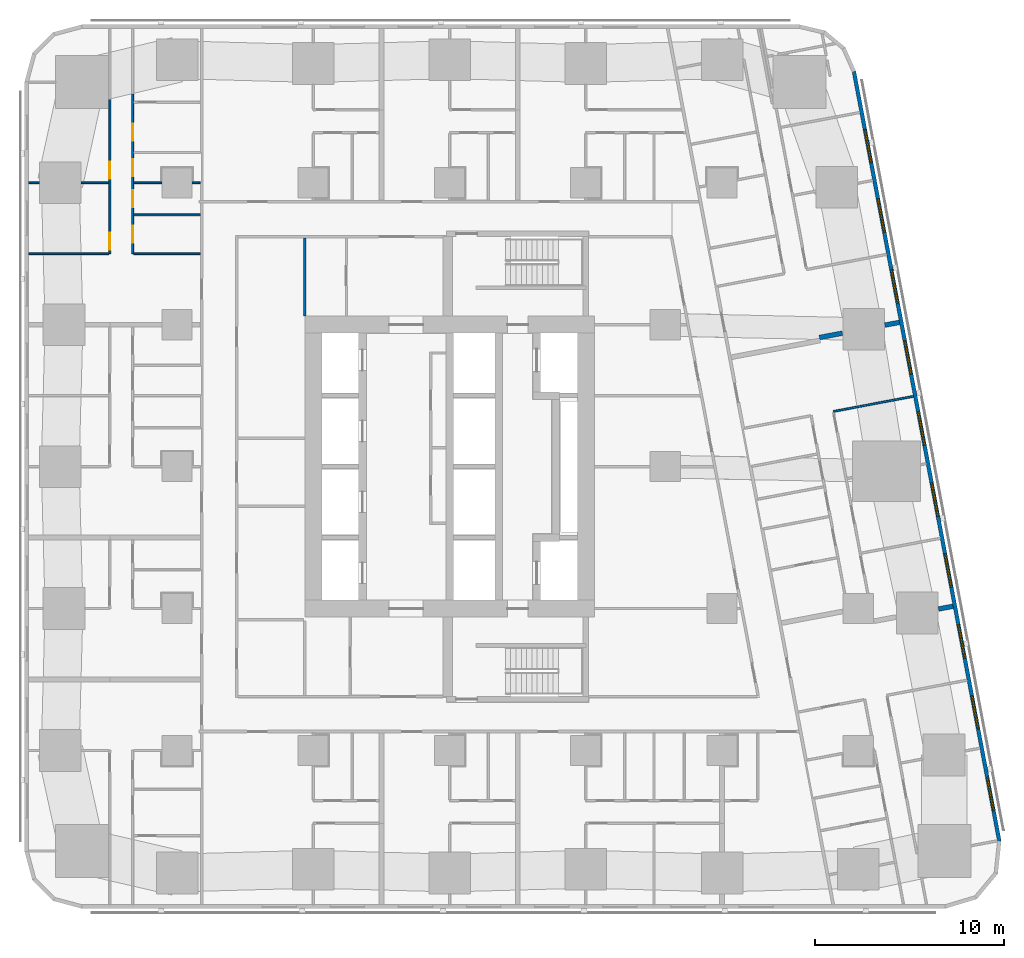
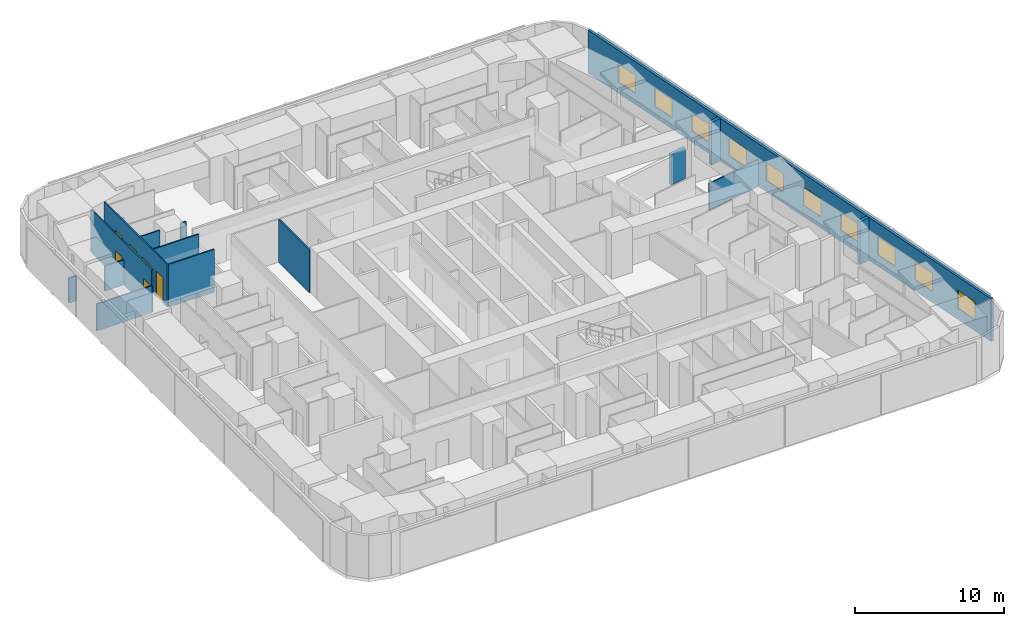
# One storey, part 9 of 16: 15 walls, 10 windows, 6 doors, 16 openings.
"""IFC4 building model written with IfcOpenShell, lengths in metres."""

from ifc_helpers import new_model, si_unit, direction, frame, frame_2d, origin, place, context, subcontext, project, spatial, rectangle, extrude, material, layer, layer_set, type_object, element, fill, save


model = new_model("IFC4")

# Units and contexts
model_context = context("Model", 3, precision=1e-05, world=origin(), true_north=direction((0.0, 1.0)))
body_context = subcontext(model_context, "Body", "Model", "MODEL_VIEW")
ifc_project = project(units=[si_unit("LENGTHUNIT", "METRE"), si_unit("AREAUNIT", "SQUARE_METRE"), si_unit("VOLUMEUNIT", "CUBIC_METRE"), si_unit("PLANEANGLEUNIT", "RADIAN"), si_unit("MASSUNIT", "GRAM", prefix="KILO")], contexts=[model_context])

# Site, building, storey
site_placement = place(None, origin())
site = spatial("IfcSite", under=ifc_project, at=site_placement, CompositionType="ELEMENT")
building_placement = place(site_placement, origin())
building = spatial("IfcBuilding", under=site, at=building_placement, Name="Sheger Commons Tower", CompositionType="ELEMENT")
storey_placement = place(building_placement, frame((0.0, 0.0, 96.64990234375)))
storey = spatial("IfcBuildingStorey", under=building, at=storey_placement, Name="L24", CompositionType="ELEMENT", Elevation=96.64990234375)

# Walls
ifc_material_1 = material(Name="Dense concrete block masonry, plastered both sides (separating wall between flats)", Category="masonry")
ifc_layer_1 = layer(ifc_material_1, 0.25)
ifc_layer_set_1 = layer_set([ifc_layer_1], Name="DEMISING WALL 250")
wall_type_1 = type_object("IfcWallType", Name="DEMISING WALL 250", PredefinedType="SOLIDWALL", material=ifc_layer_set_1)
wall_1_placement = place(storey_placement, frame((45.3720703125, 30.12109375, 0.0), z_axis=(0.0, 0.0, 1.0), x_axis=(-0.982638023929, -0.185533053469, 0.0)))
element("IfcWall", 1, at=wall_1_placement, inside=storey, type_object=wall_type_1, Name="Demising wall L24", PredefinedType="SOLIDWALL", context=body_context, shape_type="SweptSolid", body=[
    extrude(rectangle(XDim=0.78173828125, YDim=0.25, at=frame_2d((0.390869140625, 0.0))), origin(), (0.0, 0.0, 1.0), 3.5),
])
wall_2_placement = place(storey_placement, frame((42.35595703125, 29.551025390625, 0.0), z_axis=(0.0, 0.0, 1.0), x_axis=(-0.982529084329, -0.186109103615, 0.0)))
element("IfcWall", 2, at=wall_2_placement, inside=storey, type_object=wall_type_1, Name="Demising wall L24", PredefinedType="SOLIDWALL", context=body_context, shape_type="SweptSolid", body=[
    extrude(rectangle(XDim=1.23046875, YDim=0.25, at=frame_2d((0.615234375, 0.0))), origin(), (0.0, 0.0, 1.0), 2.5),
])
wall_3_placement = place(storey_placement, frame((48.2060546875, 15.1201171875, 0.0), z_axis=(0.0, 0.0, 1.0), x_axis=(-0.982638023929, -0.185533053469, 0.0)))
element("IfcWall", 3, at=wall_3_placement, inside=storey, type_object=wall_type_1, Name="Demising wall L24", PredefinedType="SOLIDWALL", context=body_context, shape_type="SweptSolid", body=[
    extrude(rectangle(XDim=0.78173828125, YDim=0.25, at=frame_2d((0.390869140625, 0.0))), origin(), (0.0, 0.0, 1.0), 3.5),
])

# Wall, openings, windows
ifc_material_2 = material(Name="Rendered concrete block masonry, dark grey", Category="masonry")
ifc_layer_2 = layer(ifc_material_2, 0.199951171875)
ifc_layer_set_2 = layer_set([ifc_layer_2], Name="FACADE WALL 200")
wall_type_2 = type_object("IfcWallType", Name="FACADE WALL 200", PredefinedType="SOLIDWALL", material=ifc_layer_set_2)
wall_4_placement = place(storey_placement, frame((50.653076171875, 2.702880859375, 0.0), z_axis=(0.0, 0.0, 1.0), x_axis=(-0.185612026696, 0.982623109613, 0.0)))
wall_4 = element("IfcWall", 4, at=wall_4_placement, inside=storey, type_object=wall_type_2, Name="Facade wall L24", PredefinedType="SOLIDWALL", context=body_context, shape_type="SweptSolid", body=[
    extrude(rectangle(XDim=41.393310546875, YDim=0.199951171875, at=frame_2d((20.69677734375, 0.0))), origin(), (0.0, 0.0, 1.0), 3.5),
])
opening_1_placement = place(wall_4_placement, frame((1.633056640625, 0.0, 0.89990234375)))
opening_1 = element("IfcOpeningElement", 5, at=opening_1_placement, cuts=wall_4, Name="Opening W2", PredefinedType="OPENING", context=body_context, shape_type="SweptSolid", body=[
    extrude(rectangle(XDim=1.800048828125, YDim=1.5, at=frame_2d((0.89990234375, 0.75))), frame((0.0, 0.10986328125, 0.0), z_axis=(0.0, -1.0, 0.0), x_axis=(1.0, 0.0, 0.0)), (0.0, 0.0, 1.0), 0.219970703125),
])
opening_2_placement = place(wall_4_placement, frame((6.031982421875, 0.0, 0.89990234375)))
opening_2 = element("IfcOpeningElement", 6, at=opening_2_placement, cuts=wall_4, Name="Opening W2", PredefinedType="OPENING", context=body_context, shape_type="SweptSolid", body=[
    extrude(rectangle(XDim=1.800048828125, YDim=1.5, at=frame_2d((0.89990234375, 0.75))), frame((0.0, 0.10986328125, 0.0), z_axis=(0.0, -1.0, 0.0), x_axis=(1.0, 0.0, 0.0)), (0.0, 0.0, 1.0), 0.219970703125),
])
opening_3_placement = place(wall_4_placement, frame((9.847900390625, 0.0, 0.89990234375)))
opening_3 = element("IfcOpeningElement", 7, at=opening_3_placement, cuts=wall_4, Name="Opening W2", PredefinedType="OPENING", context=body_context, shape_type="SweptSolid", body=[
    extrude(rectangle(XDim=1.800048828125, YDim=1.5, at=frame_2d((0.89990234375, 0.75))), frame((0.0, 0.10986328125, 0.0), z_axis=(0.0, -1.0, 0.0), x_axis=(1.0, 0.0, 0.0)), (0.0, 0.0, 1.0), 0.219970703125),
])
opening_4_placement = place(wall_4_placement, frame((13.6640625, 0.0, 0.89990234375)))
opening_4 = element("IfcOpeningElement", 8, at=opening_4_placement, cuts=wall_4, Name="Opening W2", PredefinedType="OPENING", context=body_context, shape_type="SweptSolid", body=[
    extrude(rectangle(XDim=1.800048828125, YDim=1.5, at=frame_2d((0.89990234375, 0.75))), frame((0.0, 0.10986328125, 0.0), z_axis=(0.0, -1.0, 0.0), x_axis=(1.0, 0.0, 0.0)), (0.0, 0.0, 1.0), 0.219970703125),
])
opening_5_placement = place(wall_4_placement, frame((17.48095703125, 0.0, 0.89990234375)))
opening_5 = element("IfcOpeningElement", 9, at=opening_5_placement, cuts=wall_4, Name="Opening W2", PredefinedType="OPENING", context=body_context, shape_type="SweptSolid", body=[
    extrude(rectangle(XDim=1.800048828125, YDim=1.5, at=frame_2d((0.89990234375, 0.75))), frame((0.0, 0.10986328125, 0.0), z_axis=(0.0, -1.0, 0.0), x_axis=(1.0, 0.0, 0.0)), (0.0, 0.0, 1.0), 0.219970703125),
])
opening_6_placement = place(wall_4_placement, frame((21.297119140625, 0.0, 0.89990234375)))
opening_6 = element("IfcOpeningElement", 10, at=opening_6_placement, cuts=wall_4, Name="Opening W2", PredefinedType="OPENING", context=body_context, shape_type="SweptSolid", body=[
    extrude(rectangle(XDim=1.800048828125, YDim=1.5, at=frame_2d((0.89990234375, 0.75))), frame((0.0, 0.10986328125, 0.0), z_axis=(0.0, -1.0, 0.0), x_axis=(1.0, 0.0, 0.0)), (0.0, 0.0, 1.0), 0.219970703125),
])
opening_7_placement = place(wall_4_placement, frame((25.113037109375, 0.0, 0.89990234375)))
opening_7 = element("IfcOpeningElement", 11, at=opening_7_placement, cuts=wall_4, Name="Opening W2", PredefinedType="OPENING", context=body_context, shape_type="SweptSolid", body=[
    extrude(rectangle(XDim=1.800048828125, YDim=1.5, at=frame_2d((0.89990234375, 0.75))), frame((0.0, 0.10986328125, 0.0), z_axis=(0.0, -1.0, 0.0), x_axis=(1.0, 0.0, 0.0)), (0.0, 0.0, 1.0), 0.219970703125),
])
opening_8_placement = place(wall_4_placement, frame((28.929931640625, 0.0, 0.89990234375)))
opening_8 = element("IfcOpeningElement", 12, at=opening_8_placement, cuts=wall_4, Name="Opening W2", PredefinedType="OPENING", context=body_context, shape_type="SweptSolid", body=[
    extrude(rectangle(XDim=1.800048828125, YDim=1.5, at=frame_2d((0.89990234375, 0.75))), frame((0.0, 0.10986328125, 0.0), z_axis=(0.0, -1.0, 0.0), x_axis=(1.0, 0.0, 0.0)), (0.0, 0.0, 1.0), 0.219970703125),
])
opening_9_placement = place(wall_4_placement, frame((32.74609375, 0.0, 0.89990234375)))
opening_9 = element("IfcOpeningElement", 13, at=opening_9_placement, cuts=wall_4, Name="Opening W2", PredefinedType="OPENING", context=body_context, shape_type="SweptSolid", body=[
    extrude(rectangle(XDim=1.800048828125, YDim=1.5, at=frame_2d((0.89990234375, 0.75))), frame((0.0, 0.10986328125, 0.0), z_axis=(0.0, -1.0, 0.0), x_axis=(1.0, 0.0, 0.0)), (0.0, 0.0, 1.0), 0.219970703125),
])
opening_10_placement = place(wall_4_placement, frame((36.48095703125, 0.0, 0.89990234375)))
opening_10 = element("IfcOpeningElement", 14, at=opening_10_placement, cuts=wall_4, Name="Opening W2", PredefinedType="OPENING", context=body_context, shape_type="SweptSolid", body=[
    extrude(rectangle(XDim=1.800048828125, YDim=1.5, at=frame_2d((0.89990234375, 0.75))), frame((0.0, 0.10986328125, 0.0), z_axis=(0.0, -1.0, 0.0), x_axis=(1.0, 0.0, 0.0)), (0.0, 0.0, 1.0), 0.219970703125),
])
ifc_material_3 = material(Name="Black aluminium frame, dark tinted double glazing", Category="aluminium")
window_type = type_object("IfcWindowType", Name="WINDOW W2 1800x1500", PartitioningType="SINGLE_PANEL", PredefinedType="WINDOW", material=ifc_material_3)
window_1_placement = place(opening_1_placement, origin())
window_1 = element("IfcWindow", 15, at=window_1_placement, inside=storey, type_object=window_type, Name="Window W2 1800X1500", OverallHeight=1.5, OverallWidth=1.800048828125, PartitioningType="SINGLE_PANEL", PredefinedType="WINDOW", context=body_context, shape_type="SweptSolid", body=[
    extrude(rectangle(XDim=1.800048828125, YDim=1.5, at=frame_2d((0.89990234375, 0.75))), frame((0.0, 0.030029296875, 0.0), z_axis=(0.0, -1.0, 0.0), x_axis=(1.0, 0.0, 0.0)), (0.0, 0.0, 1.0), 0.06005859375),
])
fill(opening_1, window_1)
window_2_placement = place(opening_2_placement, origin())
window_2 = element("IfcWindow", 16, at=window_2_placement, inside=storey, type_object=window_type, Name="Window W2 1800X1500", OverallHeight=1.5, OverallWidth=1.800048828125, PartitioningType="SINGLE_PANEL", PredefinedType="WINDOW", context=body_context, shape_type="SweptSolid", body=[
    extrude(rectangle(XDim=1.800048828125, YDim=1.5, at=frame_2d((0.89990234375, 0.75))), frame((0.0, 0.030029296875, 0.0), z_axis=(0.0, -1.0, 0.0), x_axis=(1.0, 0.0, 0.0)), (0.0, 0.0, 1.0), 0.06005859375),
])
fill(opening_2, window_2)
window_3_placement = place(opening_3_placement, origin())
window_3 = element("IfcWindow", 17, at=window_3_placement, inside=storey, type_object=window_type, Name="Window W2 1800X1500", OverallHeight=1.5, OverallWidth=1.800048828125, PartitioningType="SINGLE_PANEL", PredefinedType="WINDOW", context=body_context, shape_type="SweptSolid", body=[
    extrude(rectangle(XDim=1.800048828125, YDim=1.5, at=frame_2d((0.89990234375, 0.75))), frame((0.0, 0.030029296875, 0.0), z_axis=(0.0, -1.0, 0.0), x_axis=(1.0, 0.0, 0.0)), (0.0, 0.0, 1.0), 0.06005859375),
])
fill(opening_3, window_3)
window_4_placement = place(opening_4_placement, origin())
window_4 = element("IfcWindow", 18, at=window_4_placement, inside=storey, type_object=window_type, Name="Window W2 1800X1500", OverallHeight=1.5, OverallWidth=1.800048828125, PartitioningType="SINGLE_PANEL", PredefinedType="WINDOW", context=body_context, shape_type="SweptSolid", body=[
    extrude(rectangle(XDim=1.800048828125, YDim=1.5, at=frame_2d((0.89990234375, 0.75))), frame((0.0, 0.030029296875, 0.0), z_axis=(0.0, -1.0, 0.0), x_axis=(1.0, 0.0, 0.0)), (0.0, 0.0, 1.0), 0.06005859375),
])
fill(opening_4, window_4)
window_5_placement = place(opening_5_placement, origin())
window_5 = element("IfcWindow", 19, at=window_5_placement, inside=storey, type_object=window_type, Name="Window W2 1800X1500", OverallHeight=1.5, OverallWidth=1.800048828125, PartitioningType="SINGLE_PANEL", PredefinedType="WINDOW", context=body_context, shape_type="SweptSolid", body=[
    extrude(rectangle(XDim=1.800048828125, YDim=1.5, at=frame_2d((0.89990234375, 0.75))), frame((0.0, 0.030029296875, 0.0), z_axis=(0.0, -1.0, 0.0), x_axis=(1.0, 0.0, 0.0)), (0.0, 0.0, 1.0), 0.06005859375),
])
fill(opening_5, window_5)
window_6_placement = place(opening_6_placement, origin())
window_6 = element("IfcWindow", 20, at=window_6_placement, inside=storey, type_object=window_type, Name="Window W2 1800X1500", OverallHeight=1.5, OverallWidth=1.800048828125, PartitioningType="SINGLE_PANEL", PredefinedType="WINDOW", context=body_context, shape_type="SweptSolid", body=[
    extrude(rectangle(XDim=1.800048828125, YDim=1.5, at=frame_2d((0.89990234375, 0.75))), frame((0.0, 0.030029296875, 0.0), z_axis=(0.0, -1.0, 0.0), x_axis=(1.0, 0.0, 0.0)), (0.0, 0.0, 1.0), 0.06005859375),
])
fill(opening_6, window_6)
window_7_placement = place(opening_7_placement, origin())
window_7 = element("IfcWindow", 21, at=window_7_placement, inside=storey, type_object=window_type, Name="Window W2 1800X1500", OverallHeight=1.5, OverallWidth=1.800048828125, PartitioningType="SINGLE_PANEL", PredefinedType="WINDOW", context=body_context, shape_type="SweptSolid", body=[
    extrude(rectangle(XDim=1.800048828125, YDim=1.5, at=frame_2d((0.89990234375, 0.75))), frame((0.0, 0.030029296875, 0.0), z_axis=(0.0, -1.0, 0.0), x_axis=(1.0, 0.0, 0.0)), (0.0, 0.0, 1.0), 0.06005859375),
])
fill(opening_7, window_7)
window_8_placement = place(opening_8_placement, origin())
window_8 = element("IfcWindow", 22, at=window_8_placement, inside=storey, type_object=window_type, Name="Window W2 1800X1500", OverallHeight=1.5, OverallWidth=1.800048828125, PartitioningType="SINGLE_PANEL", PredefinedType="WINDOW", context=body_context, shape_type="SweptSolid", body=[
    extrude(rectangle(XDim=1.800048828125, YDim=1.5, at=frame_2d((0.89990234375, 0.75))), frame((0.0, 0.030029296875, 0.0), z_axis=(0.0, -1.0, 0.0), x_axis=(1.0, 0.0, 0.0)), (0.0, 0.0, 1.0), 0.06005859375),
])
fill(opening_8, window_8)
window_9_placement = place(opening_9_placement, origin())
window_9 = element("IfcWindow", 23, at=window_9_placement, inside=storey, type_object=window_type, Name="Window W2 1800X1500", OverallHeight=1.5, OverallWidth=1.800048828125, PartitioningType="SINGLE_PANEL", PredefinedType="WINDOW", context=body_context, shape_type="SweptSolid", body=[
    extrude(rectangle(XDim=1.800048828125, YDim=1.5, at=frame_2d((0.89990234375, 0.75))), frame((0.0, 0.030029296875, 0.0), z_axis=(0.0, -1.0, 0.0), x_axis=(1.0, 0.0, 0.0)), (0.0, 0.0, 1.0), 0.06005859375),
])
fill(opening_9, window_9)
window_10_placement = place(opening_10_placement, origin())
window_10 = element("IfcWindow", 24, at=window_10_placement, inside=storey, type_object=window_type, Name="Window W2 1800X1500", OverallHeight=1.5, OverallWidth=1.800048828125, PartitioningType="SINGLE_PANEL", PredefinedType="WINDOW", context=body_context, shape_type="SweptSolid", body=[
    extrude(rectangle(XDim=1.800048828125, YDim=1.5, at=frame_2d((0.89990234375, 0.75))), frame((0.0, 0.030029296875, 0.0), z_axis=(0.0, -1.0, 0.0), x_axis=(1.0, 0.0, 0.0)), (0.0, 0.0, 1.0), 0.06005859375),
])
fill(opening_10, window_10)

# Wall, openings, doors
ifc_material_4 = material(Name="Gypsum board on steel studs", Category="steel")
ifc_layer_3 = layer(ifc_material_4, 0.10009765625)
ifc_layer_set_3 = layer_set([ifc_layer_3], Name="PARTITION 100")
wall_type_3 = type_object("IfcWallType", Name="PARTITION 100", PredefinedType="PARTITIONING", material=ifc_layer_set_3)
wall_5_placement = place(storey_placement, frame((3.64990234375, 33.75, 0.0), z_axis=(0.0, 0.0, 1.0), x_axis=(0.0, 1.0, 0.0)))
wall_5 = element("IfcWall", 25, at=wall_5_placement, inside=storey, type_object=wall_type_3, Name="Partition L24", PredefinedType="PARTITIONING", context=body_context, shape_type="SweptSolid", body=[
    extrude(rectangle(XDim=8.1650390625, YDim=0.10009765625, at=frame_2d((4.08251953125, 0.0))), origin(), (0.0, 0.0, 1.0), 3.5),
])
opening_11_placement = place(wall_5_placement, frame((0.199951171875, 0.0, 0.0)))
opening_11 = element("IfcOpeningElement", 26, at=opening_11_placement, cuts=wall_5, Name="Opening D2", PredefinedType="OPENING", context=body_context, shape_type="SweptSolid", body=[
    extrude(rectangle(XDim=0.89990234375, YDim=2.10009765625, at=frame_2d((0.449951171875, 1.050048828125))), frame((0.0, 0.06005859375, 0.0), z_axis=(0.0, -1.0, 0.0), x_axis=(1.0, 0.0, 0.0)), (0.0, 0.0, 1.0), 0.1201171875),
])
opening_12_placement = place(wall_5_placement, frame((3.949951171875, 0.0, 0.0)))
opening_12 = element("IfcOpeningElement", 27, at=opening_12_placement, cuts=wall_5, Name="Opening D2", PredefinedType="OPENING", context=body_context, shape_type="SweptSolid", body=[
    extrude(rectangle(XDim=0.89990234375, YDim=2.10009765625, at=frame_2d((0.449951171875, 1.050048828125))), frame((0.0, 0.06005859375, 0.0), z_axis=(0.0, -1.0, 0.0), x_axis=(1.0, 0.0, 0.0)), (0.0, 0.0, 1.0), 0.1201171875),
])
ifc_material_5 = material(Name="Timber door set", Category="wood")
door_type = type_object("IfcDoorType", Name="INTERNAL DOOR 900x2100", OperationType="NOTDEFINED", PredefinedType="DOOR", material=ifc_material_5)
door_1_placement = place(opening_11_placement, origin())
door_1 = element("IfcDoor", 28, at=door_1_placement, inside=storey, type_object=door_type, Name="Main bedroom door", OperationType="SINGLE_SWING_LEFT", OverallHeight=2.10009765625, OverallWidth=0.89990234375, PredefinedType="DOOR", context=body_context, shape_type="SweptSolid", body=[
    extrude(rectangle(XDim=0.89990234375, YDim=2.10009765625, at=frame_2d((0.449951171875, 1.050048828125))), frame((0.0, 0.02490234375, 0.0), z_axis=(0.0, -1.0, 0.0), x_axis=(1.0, 0.0, 0.0)), (0.0, 0.0, 1.0), 0.050048828125),
])
fill(opening_11, door_1)
door_2_placement = place(opening_12_placement, origin())
door_2 = element("IfcDoor", 29, at=door_2_placement, inside=storey, type_object=door_type, Name="Bedroom 2 door", OperationType="SINGLE_SWING_LEFT", OverallHeight=2.10009765625, OverallWidth=0.89990234375, PredefinedType="DOOR", context=body_context, shape_type="SweptSolid", body=[
    extrude(rectangle(XDim=0.89990234375, YDim=2.10009765625, at=frame_2d((0.449951171875, 1.050048828125))), frame((0.0, 0.02490234375, 0.0), z_axis=(0.0, -1.0, 0.0), x_axis=(1.0, 0.0, 0.0)), (0.0, 0.0, 1.0), 0.050048828125),
])
fill(opening_12, door_2)

wall_6_placement = place(storey_placement, frame((4.85009765625, 33.75, 0.0), z_axis=(0.0, 0.0, 1.0), x_axis=(0.0, 1.0, 0.0)))
wall_6 = element("IfcWall", 30, at=wall_6_placement, inside=storey, type_object=wall_type_3, Name="Partition L24", PredefinedType="PARTITIONING", context=body_context, shape_type="SweptSolid", body=[
    extrude(rectangle(XDim=8.448974609375, YDim=0.10009765625, at=frame_2d((4.224609375, 0.0))), origin(), (0.0, 0.0, 1.0), 3.5),
])
opening_13_placement = place(wall_6_placement, frame((0.574951171875, 0.0, 0.0)))
opening_13 = element("IfcOpeningElement", 31, at=opening_13_placement, cuts=wall_6, Name="Opening D2", PredefinedType="OPENING", context=body_context, shape_type="SweptSolid", body=[
    extrude(rectangle(XDim=0.89990234375, YDim=2.10009765625, at=frame_2d((0.449951171875, 1.050048828125))), frame((0.0, 0.06005859375, 0.0), z_axis=(0.0, -1.0, 0.0), x_axis=(1.0, 0.0, 0.0)), (0.0, 0.0, 1.0), 0.1201171875),
])
opening_14_placement = place(wall_6_placement, frame((4.10009765625, 0.0, 0.0)))
opening_14 = element("IfcOpeningElement", 32, at=opening_14_placement, cuts=wall_6, Name="Opening D2", PredefinedType="OPENING", context=body_context, shape_type="SweptSolid", body=[
    extrude(rectangle(XDim=0.89990234375, YDim=2.10009765625, at=frame_2d((0.449951171875, 1.050048828125))), frame((0.0, 0.06005859375, 0.0), z_axis=(0.0, -1.0, 0.0), x_axis=(1.0, 0.0, 0.0)), (0.0, 0.0, 1.0), 0.1201171875),
])
opening_15_placement = place(wall_6_placement, frame((2.449951171875, 0.0, 0.0)))
opening_15 = element("IfcOpeningElement", 33, at=opening_15_placement, cuts=wall_6, Name="Opening D2", PredefinedType="OPENING", context=body_context, shape_type="SweptSolid", body=[
    extrude(rectangle(XDim=0.89990234375, YDim=2.10009765625, at=frame_2d((0.449951171875, 1.050048828125))), frame((0.0, 0.06005859375, 0.0), z_axis=(0.0, -1.0, 0.0), x_axis=(1.0, 0.0, 0.0)), (0.0, 0.0, 1.0), 0.1201171875),
])
opening_16_placement = place(wall_6_placement, frame((5.97509765625, 0.0, 0.0)))
opening_16 = element("IfcOpeningElement", 34, at=opening_16_placement, cuts=wall_6, Name="Opening D2", PredefinedType="OPENING", context=body_context, shape_type="SweptSolid", body=[
    extrude(rectangle(XDim=0.89990234375, YDim=2.10009765625, at=frame_2d((0.449951171875, 1.050048828125))), frame((0.0, 0.06005859375, 0.0), z_axis=(0.0, -1.0, 0.0), x_axis=(1.0, 0.0, 0.0)), (0.0, 0.0, 1.0), 0.1201171875),
])
door_3_placement = place(opening_13_placement, origin())
door_3 = element("IfcDoor", 35, at=door_3_placement, inside=storey, type_object=door_type, Name="Bathroom door", OperationType="SINGLE_SWING_RIGHT", OverallHeight=2.10009765625, OverallWidth=0.89990234375, PredefinedType="DOOR", context=body_context, shape_type="SweptSolid", body=[
    extrude(rectangle(XDim=0.89990234375, YDim=2.10009765625, at=frame_2d((0.449951171875, 1.050048828125))), frame((0.0, 0.02490234375, 0.0), z_axis=(0.0, -1.0, 0.0), x_axis=(1.0, 0.0, 0.0)), (0.0, 0.0, 1.0), 0.050048828125),
])
fill(opening_13, door_3)
door_4_placement = place(opening_14_placement, origin())
door_4 = element("IfcDoor", 36, at=door_4_placement, inside=storey, type_object=door_type, Name="Shower room door", OperationType="SINGLE_SWING_LEFT", OverallHeight=2.10009765625, OverallWidth=0.89990234375, PredefinedType="DOOR", context=body_context, shape_type="SweptSolid", body=[
    extrude(rectangle(XDim=0.89990234375, YDim=2.10009765625, at=frame_2d((0.449951171875, 1.050048828125))), frame((0.0, 0.02490234375, 0.0), z_axis=(0.0, -1.0, 0.0), x_axis=(1.0, 0.0, 0.0)), (0.0, 0.0, 1.0), 0.050048828125),
])
fill(opening_14, door_4)
door_5_placement = place(opening_15_placement, origin())
door_5 = element("IfcDoor", 37, at=door_5_placement, inside=storey, type_object=door_type, Name="Store door", OperationType="SINGLE_SWING_RIGHT", OverallHeight=2.10009765625, OverallWidth=0.89990234375, PredefinedType="DOOR", context=body_context, shape_type="SweptSolid", body=[
    extrude(rectangle(XDim=0.89990234375, YDim=2.10009765625, at=frame_2d((0.449951171875, 1.050048828125))), frame((0.0, 0.02490234375, 0.0), z_axis=(0.0, -1.0, 0.0), x_axis=(1.0, 0.0, 0.0)), (0.0, 0.0, 1.0), 0.050048828125),
])
fill(opening_15, door_5)
door_6_placement = place(opening_16_placement, origin())
door_6 = element("IfcDoor", 38, at=door_6_placement, inside=storey, type_object=door_type, Name="Store door", OperationType="SINGLE_SWING_RIGHT", OverallHeight=2.10009765625, OverallWidth=0.89990234375, PredefinedType="DOOR", context=body_context, shape_type="SweptSolid", body=[
    extrude(rectangle(XDim=0.89990234375, YDim=2.10009765625, at=frame_2d((0.449951171875, 1.050048828125))), frame((0.0, 0.02490234375, 0.0), z_axis=(0.0, -1.0, 0.0), x_axis=(1.0, 0.0, 0.0)), (0.0, 0.0, 1.0), 0.050048828125),
])
fill(opening_16, door_6)

# Walls
wall_7_placement = place(storey_placement, frame((-0.64990234375, 33.75, 0.0), z_axis=(0.0, 0.0, 1.0), x_axis=(1.0, 0.0, 0.0)))
element("IfcWall", 39, at=wall_7_placement, inside=storey, type_object=wall_type_3, Name="Partition L24", PredefinedType="PARTITIONING", context=body_context, shape_type="SweptSolid", body=[
    extrude(rectangle(XDim=4.25, YDim=0.10009765625, at=frame_2d((2.125, 0.0))), origin(), (0.0, 0.0, 1.0), 2.2001953125),
])
wall_8_placement = place(storey_placement, frame((-0.64990234375, 37.5, 0.0), z_axis=(0.0, 0.0, 1.0), x_axis=(1.0, 0.0, 0.0)))
element("IfcWall", 40, at=wall_8_placement, inside=storey, type_object=wall_type_3, Name="Partition L24", PredefinedType="PARTITIONING", context=body_context, shape_type="SweptSolid", body=[
    extrude(rectangle(XDim=0.573974609375, YDim=0.10009765625, at=frame_2d((0.287109375, 0.0))), origin(), (0.0, 0.0, 1.0), 2.050048828125),
])
wall_9_placement = place(storey_placement, frame((2.1259765625, 37.5, 0.0), z_axis=(0.0, 0.0, 1.0), x_axis=(1.0, 0.0, 0.0)))
element("IfcWall", 41, at=wall_9_placement, inside=storey, type_object=wall_type_3, Name="Partition L24", PredefinedType="PARTITIONING", context=body_context, shape_type="SweptSolid", body=[
    extrude(rectangle(XDim=1.47412109375, YDim=0.10009765625, at=frame_2d((0.737060546875, 0.0))), origin(), (0.0, 0.0, 1.0), 2.050048828125),
])
wall_10_placement = place(storey_placement, frame((4.89990234375, 33.75, 0.0), z_axis=(0.0, 0.0, 1.0), x_axis=(1.0, 0.0, 0.0)))
element("IfcWall", 42, at=wall_10_placement, inside=storey, type_object=wall_type_3, Name="Partition L24", PredefinedType="PARTITIONING", context=body_context, shape_type="SweptSolid", body=[
    extrude(rectangle(XDim=3.525146484375, YDim=0.10009765625, at=frame_2d((1.7626953125, 0.0))), origin(), (0.0, 0.0, 1.0), 3.5),
])
wall_11_placement = place(storey_placement, frame((4.89990234375, 37.5, 0.0), z_axis=(0.0, 0.0, 1.0), x_axis=(1.0, 0.0, 0.0)))
element("IfcWall", 43, at=wall_11_placement, inside=storey, type_object=wall_type_3, Name="Partition L24", PredefinedType="PARTITIONING", context=body_context, shape_type="SweptSolid", body=[
    extrude(rectangle(XDim=1.4990234375, YDim=0.10009765625, at=frame_2d((0.74951171875, 0.0))), origin(), (0.0, 0.0, 1.0), 3.5),
])
wall_12_placement = place(storey_placement, frame((8.0009765625, 37.5, 0.0), z_axis=(0.0, 0.0, 1.0), x_axis=(1.0, 0.0, 0.0)))
element("IfcWall", 44, at=wall_12_placement, inside=storey, type_object=wall_type_3, Name="Partition L24", PredefinedType="PARTITIONING", context=body_context, shape_type="SweptSolid", body=[
    extrude(rectangle(XDim=0.424072265625, YDim=0.10009765625, at=frame_2d((0.2119140625, 0.0))), origin(), (0.0, 0.0, 1.0), 3.5),
])
wall_13_placement = place(storey_placement, frame((4.89990234375, 35.800048828125, 0.0), z_axis=(0.0, 0.0, 1.0), x_axis=(1.0, 0.0, 0.0)))
element("IfcWall", 45, at=wall_13_placement, inside=storey, type_object=wall_type_3, Name="Partition L24", PredefinedType="PARTITIONING", context=body_context, shape_type="SweptSolid", body=[
    extrude(rectangle(XDim=3.525146484375, YDim=0.10009765625, at=frame_2d((1.7626953125, 0.0))), origin(), (0.0, 0.0, 1.0), 3.5),
])
wall_14_placement = place(storey_placement, frame((46.110107421875, 26.212890625, 0.0), z_axis=(0.0, 0.0, 1.0), x_axis=(-0.982633535512, -0.185556823879, 0.0)))
element("IfcWall", 46, at=wall_14_placement, inside=storey, type_object=wall_type_3, Name="Partition L24", PredefinedType="PARTITIONING", context=body_context, shape_type="SweptSolid", body=[
    extrude(rectangle(XDim=4.2998046875, YDim=0.10009765625, at=frame_2d((2.14990234375, 0.0))), origin(), (0.0, 0.0, 1.0), 2.2001953125),
])
ifc_material_6 = material(Name="Gypsum board on steel studs, two layers each side, fire rated", Category="steel")
ifc_layer_4 = layer(ifc_material_6, 0.125)
ifc_layer_set_4 = layer_set([ifc_layer_4], Name="SERVICE WALL 125")
wall_type_4 = type_object("IfcWallType", Name="SERVICE WALL 125", PredefinedType="PARTITIONING", material=ifc_layer_set_4)
wall_15_placement = place(storey_placement, frame((13.949951171875, 30.449951171875, 0.0), z_axis=(0.0, 0.0, 1.0), x_axis=(0.0, 1.0, 0.0)))
element("IfcWall", 47, at=wall_15_placement, inside=storey, type_object=wall_type_4, Name="Service room wall L24", PredefinedType="PARTITIONING", context=body_context, shape_type="SweptSolid", body=[
    extrude(rectangle(XDim=4.136962890625, YDim=0.125, at=frame_2d((2.068359375, 0.0))), origin(), (0.0, 0.0, 1.0), 3.5),
])

save(model, "model.ifc")
